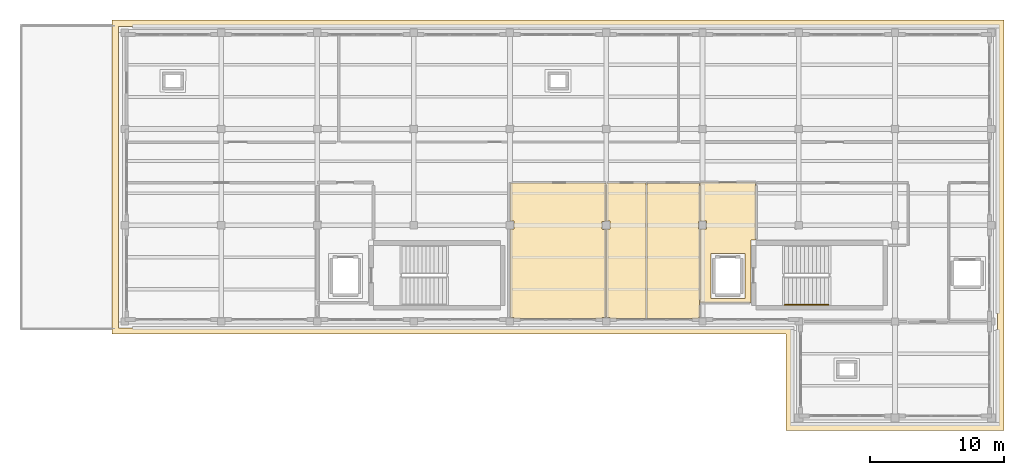
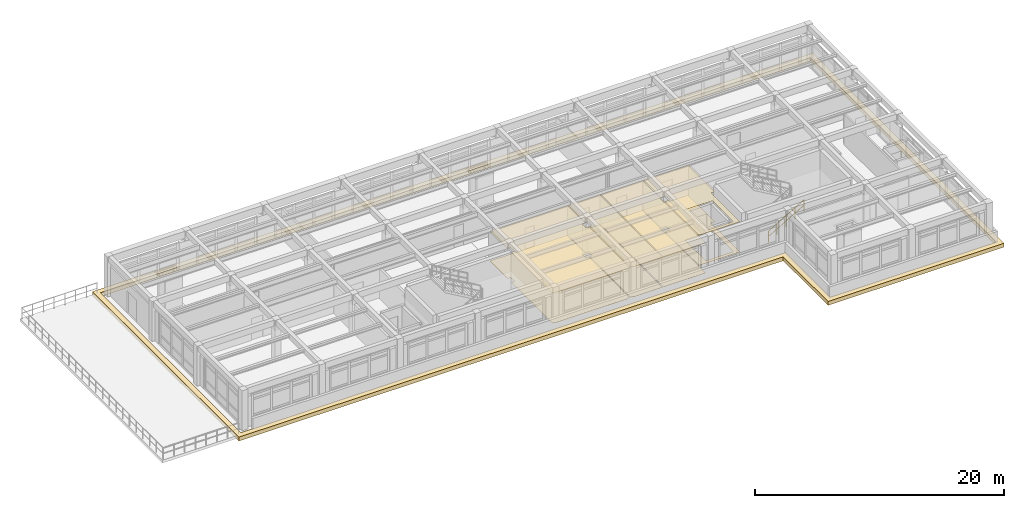
# One storey, part 19 of 21: 9 coverings, 1 railing.
"""IFC4 building model written with IfcOpenShell, lengths in metres."""

from ifc_helpers import new_model, si_unit, direction, frame, origin, origin_2d, place, context, subcontext, project, spatial, polyline, circle, outline, extrude, material, layer, layer_set, type_object, element, save


model = new_model("IFC4")

# Units and contexts
model_context = context("Model", 3, precision=1e-05, world=origin(), true_north=direction((0.0, 1.0)))
body_context = subcontext(model_context, "Body", "Model", "MODEL_VIEW")
ifc_project = project(units=[si_unit("LENGTHUNIT", "METRE"), si_unit("AREAUNIT", "SQUARE_METRE"), si_unit("VOLUMEUNIT", "CUBIC_METRE"), si_unit("PLANEANGLEUNIT", "RADIAN"), si_unit("MASSUNIT", "GRAM", prefix="KILO")], contexts=[model_context])

# Site, building, storey
site_placement = place(None, origin())
site = spatial("IfcSite", under=ifc_project, at=site_placement, CompositionType="ELEMENT")
building_placement = place(site_placement, origin())
building = spatial("IfcBuilding", under=site, at=building_placement, Name="Solenvale Faculty of Natural Sciences", CompositionType="ELEMENT")
storey_placement = place(building_placement, frame((0.0, 0.0, 31.199951171875)))
storey = spatial("IfcBuildingStorey", under=building, at=storey_placement, Name="L07", CompositionType="ELEMENT", Elevation=31.199951171875)

# Coverings
ifc_material_1 = material(Name="Acoustic mineral-timber ceiling", Category="wood")
ifc_layer_1 = layer(ifc_material_1, 0.02490234375)
ifc_layer_set_1 = layer_set([ifc_layer_1], Name="Acoustic mineral-timber ceiling")
covering_type_1 = type_object("IfcCoveringType", Name="COV-CEIL-AC25", PredefinedType="CEILING", material=ifc_layer_set_1)
covering_1_placement = place(storey_placement, frame((0.0, 0.0, 2.93505859375)))
element("IfcCovering", 1, at=covering_1_placement, inside=storey, type_object=covering_type_1, Name="L07 Firefighting Lobby C5 Acoustic Ceiling", PredefinedType="CEILING", context=body_context, shape_type="SweptSolid", body=[
    extrude(outline(polyline([(133.580078125, 99.7099609375), (133.555908203125, 99.680908203125), (133.248046875, 99.679931640625), (133.219970703125, 99.652099609375), (133.212890625, 95.031005859375), (133.18994140625, 95.02001953125), (129.430908203125, 95.027099609375), (129.419921875, 95.050048828125), (129.419921875, 100.472900390625), (129.447021484375, 100.5), (129.89794921875, 100.50390625), (129.89990234375, 101.089111328125), (129.888916015625, 101.10009765625), (129.447021484375, 101.10009765625), (129.4208984375, 101.1240234375), (129.419921875, 103.949951171875), (129.428955078125, 103.970947265625), (129.449951171875, 103.97998046875), (133.550048828125, 103.97998046875), (133.571044921875, 103.970947265625), (133.580078125, 103.949951171875), (133.580078125, 99.7099609375)]), holes=[polyline([(130.248046875, 98.679931640625), (130.22802734375, 98.669921875), (130.219970703125, 98.64990234375), (130.22607421875, 95.33203125), (130.25, 95.320068359375), (132.76806640625, 95.325927734375), (132.780029296875, 95.35009765625), (132.77392578125, 98.66796875), (132.75, 98.679931640625), (130.248046875, 98.679931640625)])]), origin(), (0.0, 0.0, 1.0), 0.02490234375),
])
covering_2_placement = place(storey_placement, frame((0.0, 0.0, 2.93505859375)))
element("IfcCovering", 2, at=covering_2_placement, inside=storey, type_object=covering_type_1, Name="L07 Public Washroom Acoustic Ceiling", PredefinedType="CEILING", context=body_context, shape_type="SweptSolid", body=[
    extrude(outline(polyline([(122.35009765625, 103.9599609375), (122.37109375, 103.950927734375), (122.3798828125, 103.929931640625), (122.3798828125, 101.126953125), (122.35302734375, 101.10009765625), (122.10107421875, 101.093994140625), (122.10009765625, 100.510986328125), (122.111083984375, 100.5), (122.35302734375, 100.5), (122.3798828125, 100.469970703125), (122.375, 93.9130859375), (122.35302734375, 93.89990234375), (122.10791015625, 93.89990234375), (122.094970703125, 93.85302734375), (122.070068359375, 93.840087890625), (115.530029296875, 93.840087890625), (115.5048828125, 93.85302734375), (115.491943359375, 93.89990234375), (115.23291015625, 93.905029296875), (115.219970703125, 93.929931640625), (115.219970703125, 100.469970703125), (115.2470703125, 100.5), (115.4990234375, 100.506103515625), (115.5, 101.089111328125), (115.489013671875, 101.10009765625), (115.2470703125, 101.10009765625), (115.219970703125, 101.126953125), (115.22509765625, 103.947021484375), (115.25, 103.9599609375), (122.35009765625, 103.9599609375)])), origin(), (0.0, 0.0, 1.0), 0.02490234375),
])
covering_3_placement = place(storey_placement, frame((0.0, 0.0, 2.93505859375)))
element("IfcCovering", 3, at=covering_3_placement, inside=storey, type_object=covering_type_1, Name="L07 Accessible Washroom Acoustic Ceiling", PredefinedType="CEILING", context=body_context, shape_type="SweptSolid", body=[
    extrude(outline(polyline([(125.35009765625, 103.9599609375), (125.37109375, 103.950927734375), (125.3798828125, 103.929931640625), (125.37890625, 93.861083984375), (125.35009765625, 93.840087890625), (122.72998046875, 93.840087890625), (122.705078125, 93.85302734375), (122.69189453125, 93.89990234375), (122.4609375, 93.90087890625), (122.43994140625, 93.929931640625), (122.43994140625, 100.469970703125), (122.467041015625, 100.5), (122.698974609375, 100.506103515625), (122.699951171875, 101.089111328125), (122.68896484375, 101.10009765625), (122.467041015625, 101.10009765625), (122.43994140625, 101.126953125), (122.44091796875, 103.93896484375), (122.469970703125, 103.9599609375), (125.35009765625, 103.9599609375)])), origin(), (0.0, 0.0, 1.0), 0.02490234375),
])
covering_4_placement = place(storey_placement, frame((0.0, 0.0, 2.93505859375)))
element("IfcCovering", 4, at=covering_4_placement, inside=storey, type_object=covering_type_1, Name="L07 Analytical Balance Room Acoustic Ceiling", PredefinedType="CEILING", context=body_context, shape_type="SweptSolid", body=[
    extrude(outline(polyline([(129.330078125, 103.9599609375), (129.35107421875, 103.950927734375), (129.360107421875, 103.929931640625), (129.360107421875, 101.1298828125), (129.346923828125, 101.10498046875), (129.300048828125, 101.091064453125), (129.300048828125, 100.510986328125), (129.346923828125, 100.4951171875), (129.360107421875, 100.469970703125), (129.360107421875, 95.0), (129.3798828125, 94.950927734375), (129.3779296875, 93.9189453125), (129.35888671875, 93.90087890625), (129.303955078125, 93.89794921875), (129.2958984375, 93.85595703125), (129.27001953125, 93.840087890625), (125.458984375, 93.842041015625), (125.43994140625, 93.8701171875), (125.44189453125, 103.94091796875), (125.469970703125, 103.9599609375), (129.330078125, 103.9599609375)])), origin(), (0.0, 0.0, 1.0), 0.02490234375),
])
ifc_material_2 = material(Name="Polished slate terrazzo flooring", Category="masonry")
ifc_layer_2 = layer(ifc_material_2, 0.01806640625)
ifc_layer_set_2 = layer_set([ifc_layer_2], Name="Polished slate terrazzo flooring")
covering_type_2 = type_object("IfcCoveringType", Name="COV-FLR-TRZ18", PredefinedType="FLOORING", material=ifc_layer_set_2)
covering_5_placement = place(storey_placement, origin())
element("IfcCovering", 5, at=covering_5_placement, inside=storey, type_object=covering_type_2, Name="L07 Firefighting Lobby C5 Floor Finish", PredefinedType="FLOORING", context=body_context, shape_type="SweptSolid", body=[
    extrude(outline(polyline([(133.580078125, 99.7099609375), (133.555908203125, 99.680908203125), (133.248046875, 99.679931640625), (133.219970703125, 99.652099609375), (133.212890625, 95.031005859375), (133.18994140625, 95.02001953125), (129.430908203125, 95.027099609375), (129.419921875, 95.050048828125), (129.419921875, 100.472900390625), (129.447021484375, 100.5), (129.89794921875, 100.50390625), (129.89990234375, 101.089111328125), (129.888916015625, 101.10009765625), (129.447021484375, 101.10009765625), (129.4208984375, 101.1240234375), (129.419921875, 103.949951171875), (129.428955078125, 103.970947265625), (129.449951171875, 103.97998046875), (133.550048828125, 103.97998046875), (133.571044921875, 103.970947265625), (133.580078125, 103.949951171875), (133.580078125, 99.7099609375)]), holes=[polyline([(130.248046875, 98.679931640625), (130.22802734375, 98.669921875), (130.219970703125, 98.64990234375), (130.22607421875, 95.33203125), (130.25, 95.320068359375), (132.76806640625, 95.325927734375), (132.780029296875, 95.35009765625), (132.77392578125, 98.66796875), (132.75, 98.679931640625), (130.248046875, 98.679931640625)])]), origin(), (0.0, 0.0, 1.0), 0.01806640625),
])
covering_6_placement = place(storey_placement, origin())
element("IfcCovering", 6, at=covering_6_placement, inside=storey, type_object=covering_type_2, Name="L07 Public Washroom Floor Finish", PredefinedType="FLOORING", context=body_context, shape_type="SweptSolid", body=[
    extrude(outline(polyline([(122.35009765625, 103.9599609375), (122.37109375, 103.950927734375), (122.3798828125, 103.929931640625), (122.3798828125, 101.126953125), (122.35302734375, 101.10009765625), (122.10107421875, 101.093994140625), (122.10009765625, 100.510986328125), (122.111083984375, 100.5), (122.35302734375, 100.5), (122.3798828125, 100.469970703125), (122.375, 93.9130859375), (122.35302734375, 93.89990234375), (122.10791015625, 93.89990234375), (122.094970703125, 93.85302734375), (122.070068359375, 93.840087890625), (115.530029296875, 93.840087890625), (115.5048828125, 93.85302734375), (115.491943359375, 93.89990234375), (115.23291015625, 93.905029296875), (115.219970703125, 93.929931640625), (115.219970703125, 100.469970703125), (115.2470703125, 100.5), (115.4990234375, 100.506103515625), (115.5, 101.089111328125), (115.489013671875, 101.10009765625), (115.2470703125, 101.10009765625), (115.219970703125, 101.126953125), (115.22509765625, 103.947021484375), (115.25, 103.9599609375), (122.35009765625, 103.9599609375)])), origin(), (0.0, 0.0, 1.0), 0.01806640625),
])
covering_7_placement = place(storey_placement, origin())
element("IfcCovering", 7, at=covering_7_placement, inside=storey, type_object=covering_type_2, Name="L07 Accessible Washroom Floor Finish", PredefinedType="FLOORING", context=body_context, shape_type="SweptSolid", body=[
    extrude(outline(polyline([(125.35009765625, 103.9599609375), (125.37109375, 103.950927734375), (125.3798828125, 103.929931640625), (125.37890625, 93.861083984375), (125.35009765625, 93.840087890625), (122.72998046875, 93.840087890625), (122.705078125, 93.85302734375), (122.69189453125, 93.89990234375), (122.4609375, 93.90087890625), (122.43994140625, 93.929931640625), (122.43994140625, 100.469970703125), (122.467041015625, 100.5), (122.698974609375, 100.506103515625), (122.699951171875, 101.089111328125), (122.68896484375, 101.10009765625), (122.467041015625, 101.10009765625), (122.43994140625, 101.126953125), (122.44091796875, 103.93896484375), (122.469970703125, 103.9599609375), (125.35009765625, 103.9599609375)])), origin(), (0.0, 0.0, 1.0), 0.01806640625),
])
covering_8_placement = place(storey_placement, origin())
element("IfcCovering", 8, at=covering_8_placement, inside=storey, type_object=covering_type_2, Name="L07 Analytical Balance Room Floor Finish", PredefinedType="FLOORING", context=body_context, shape_type="SweptSolid", body=[
    extrude(outline(polyline([(129.330078125, 103.9599609375), (129.35107421875, 103.950927734375), (129.360107421875, 103.929931640625), (129.360107421875, 101.1298828125), (129.346923828125, 101.10498046875), (129.300048828125, 101.091064453125), (129.300048828125, 100.510986328125), (129.346923828125, 100.4951171875), (129.360107421875, 100.469970703125), (129.360107421875, 95.0), (129.3798828125, 94.950927734375), (129.3779296875, 93.9189453125), (129.35888671875, 93.90087890625), (129.303955078125, 93.89794921875), (129.2958984375, 93.85595703125), (129.27001953125, 93.840087890625), (125.458984375, 93.842041015625), (125.43994140625, 93.8701171875), (125.44189453125, 103.94091796875), (125.469970703125, 103.9599609375), (129.330078125, 103.9599609375)])), origin(), (0.0, 0.0, 1.0), 0.01806640625),
])
ifc_material_3 = material(Name="Insulated EPDM roofing membrane")
ifc_layer_3 = layer(ifc_material_3, 0.06494140625)
ifc_layer_set_3 = layer_set([ifc_layer_3], Name="Insulated EPDM roofing membrane")
covering_type_3 = type_object("IfcCoveringType", Name="COV-ROOF-MEMB", PredefinedType="ROOFING", material=ifc_layer_set_3)
covering_9_placement = place(storey_placement, frame((0.0, 0.0, -0.33984375)))
element("IfcCovering", 9, at=covering_9_placement, inside=storey, type_object=covering_type_3, Name="L07 Projecting Horizontal Bronze Concrete Tray Ledge 1", PredefinedType="CLADDING", context=body_context, shape_type="SweptSolid", body=[
    extrude(outline(polyline([(85.469970703125, 92.64990234375), (85.4560546875, 92.656005859375), (85.449951171875, 92.669921875), (85.449951171875, 116.1298828125), (85.464111328125, 116.14892578125), (152.1298828125, 116.14990234375), (152.14892578125, 116.135986328125), (152.14990234375, 85.469970703125), (152.135986328125, 85.450927734375), (135.862060546875, 85.451904296875), (135.85009765625, 85.469970703125), (135.85009765625, 92.64990234375), (85.469970703125, 92.64990234375)]), holes=[polyline([(85.919921875, 93.1201171875), (136.302001953125, 93.1201171875), (136.31396484375, 93.114013671875), (136.320068359375, 93.10009765625), (136.320068359375, 85.919921875), (151.679931640625, 85.919921875), (151.679931640625, 115.679931640625), (85.919921875, 115.679931640625), (85.919921875, 93.1201171875)])]), origin(), (0.0, 0.0, 1.0), 0.3798828125),
])

# Railing
ifc_material_4 = material(Name="Stainless steel Grade 304", Category="steel")
railing_type = type_object("IfcRailingType", Name="RL-HND-900", PredefinedType="HANDRAIL", material=ifc_material_4)
railing_placement = place(storey_placement, frame((135.739990234375, 94.85009765625, 0.175048828125)))
element("IfcRailing", 10, at=railing_placement, inside=storey, type_object=railing_type, Name="L07 ST-05 stair handrail 1", PredefinedType="HANDRAIL", context=body_context, shape_type="SweptSolid", body=[
    extrude(circle(Radius=0.02392578125, at=origin_2d()), frame((0.0, 0.0, 1.0751953125), z_axis=(0.863776583165, 0.0, 0.503874998761), x_axis=(0.0, 1.0, 0.0)), (0.0, 0.0, 1.0), 3.820556640625),
    extrude(circle(Radius=0.01611328125, at=origin_2d()), frame((0.0, 0.0, 0.549560546875), z_axis=(0.863776583165, 0.0, 0.503874998761), x_axis=(0.0, 1.0, 0.0)), (0.0, 0.0, 1.0), 3.820556640625),
    extrude(circle(Radius=0.02099609375, at=origin_2d()), origin(), (0.0, 0.0, 1.0), 1.051025390625),
    extrude(circle(Radius=0.02099609375, at=origin_2d()), frame((0.824951171875, 0.0, 0.481201171875)), (0.0, 0.0, 1.0), 1.051025390625),
    extrude(circle(Radius=0.02099609375, at=origin_2d()), frame((1.64990234375, 0.0, 0.96240234375)), (0.0, 0.0, 1.0), 1.051025390625),
    extrude(circle(Radius=0.02099609375, at=origin_2d()), frame((2.47509765625, 0.0, 1.44384765625)), (0.0, 0.0, 1.0), 1.051025390625),
    extrude(circle(Radius=0.02099609375, at=origin_2d()), frame((3.300048828125, 0.0, 1.925048828125)), (0.0, 0.0, 1.0), 1.051025390625),
])

save(model, "model.ifc")
